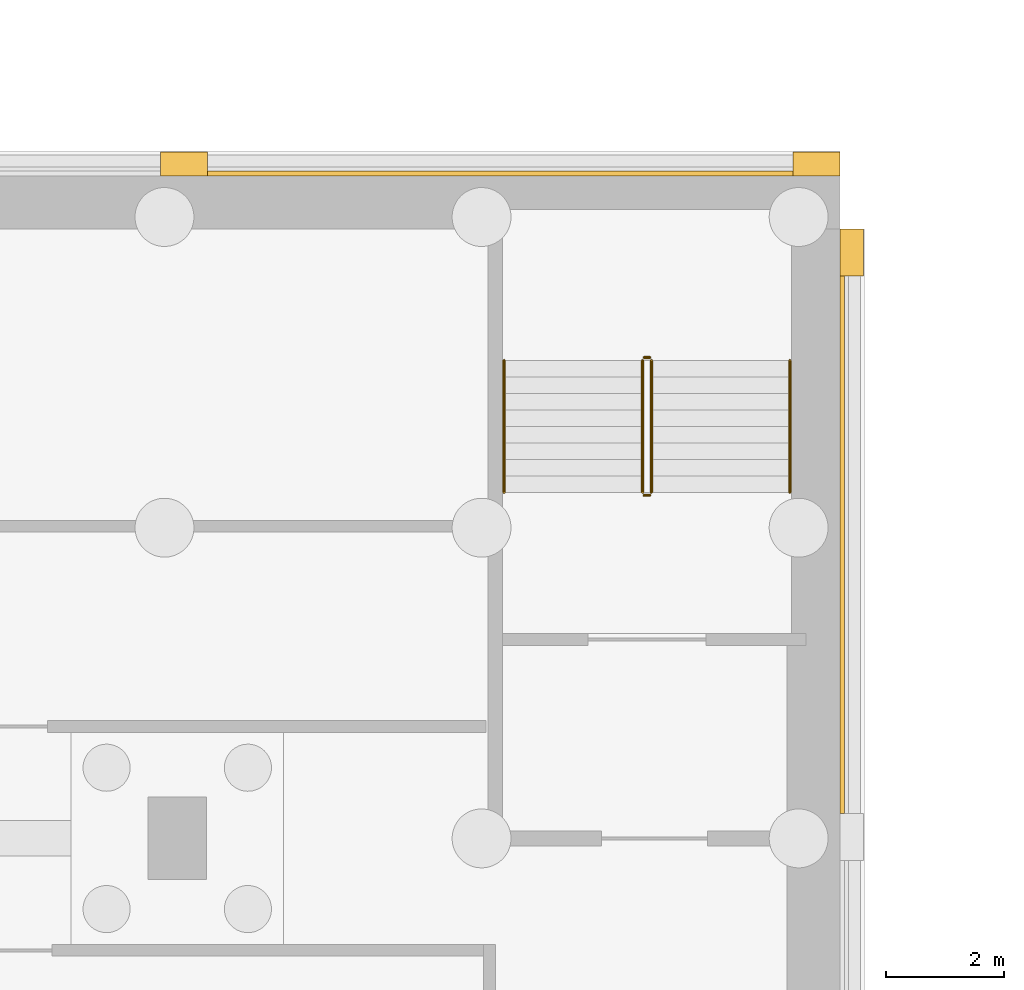
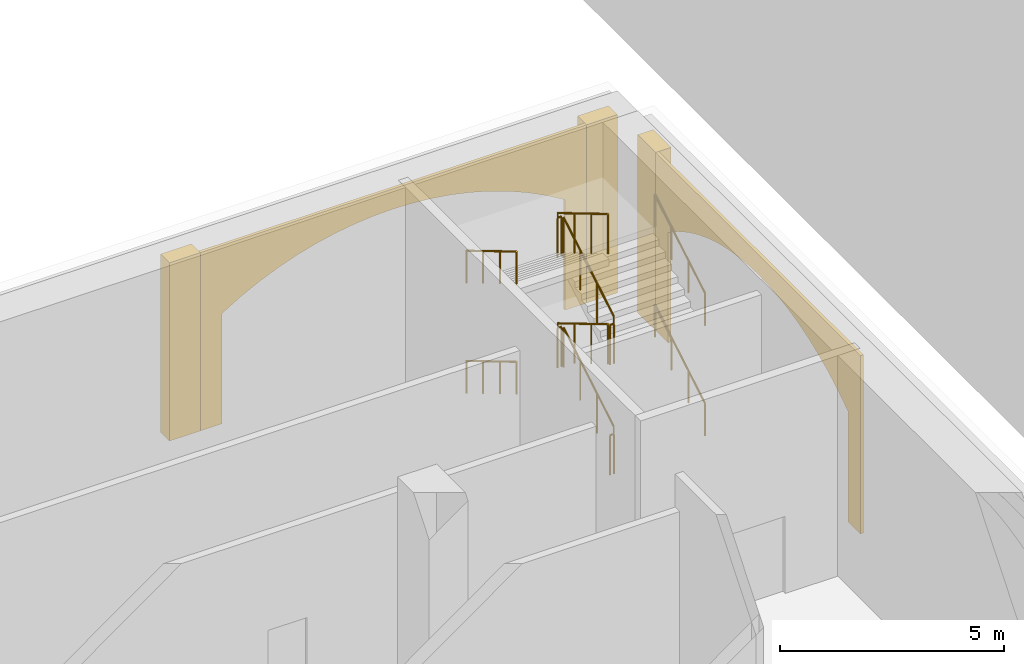
# One storey, part 37 of 39: 12 railings, 5 coverings.
"""IFC4 building model written with IfcOpenShell, lengths in metres."""

from ifc_helpers import new_model, si_unit, direction, frame, origin, origin_2d, place, context, subcontext, project, spatial, polyline, rectangle, circle, outline, extrude, material, layer, layer_set, type_object, element, save


model = new_model("IFC4")

# Units and contexts
model_context = context("Model", 3, precision=1e-05, world=origin(), true_north=direction((0.0, 1.0)))
body_context = subcontext(model_context, "Body", "Model", "MODEL_VIEW")
ifc_project = project(units=[si_unit("LENGTHUNIT", "METRE"), si_unit("AREAUNIT", "SQUARE_METRE"), si_unit("VOLUMEUNIT", "CUBIC_METRE"), si_unit("PLANEANGLEUNIT", "RADIAN"), si_unit("MASSUNIT", "GRAM", prefix="KILO")], contexts=[model_context])

# Site, building, storey
site_placement = place(None, origin())
site = spatial("IfcSite", under=ifc_project, at=site_placement, CompositionType="ELEMENT")
building_placement = place(site_placement, origin())
building = spatial("IfcBuilding", under=site, at=building_placement, Name="Magnolia Steps Interchange", CompositionType="ELEMENT")
storey_placement = place(building_placement, frame((0.0, 0.0, -11.39990234375)))
storey = spatial("IfcBuildingStorey", under=building, at=storey_placement, Name="B2", CompositionType="ELEMENT", Elevation=-11.39990234375)

# Coverings
ifc_material_1 = material(Name="Lime render")
ifc_layer_1 = layer(ifc_material_1, 0.080078125)
ifc_layer_set_1 = layer_set([ifc_layer_1], Name="Lime render arch infill")
covering_type_1 = type_object("IfcCoveringType", Name="Lime render arch infill", PredefinedType="CLADDING", material=ifc_layer_set_1)
covering_1_placement = place(storey_placement, frame((173.066650390625, 75.25, 0.5), z_axis=(0.0, -1.0, 0.0), x_axis=(0.0, 0.0, 1.0)))
element("IfcCovering", 1, at=covering_1_placement, inside=storey, type_object=covering_type_1, Name="Blind arch metro box wall 2.6", PredefinedType="CLADDING", context=body_context, shape_type="SweptSolid", body=[
    extrude(outline(polyline([(0.0, 0.0), (3.0, 0.0), (3.292480469, -0.490722656), (3.540771484, -0.981445312), (3.749511719, -1.472167969), (3.921875, -1.962890625), (4.060058594, -2.453857422), (4.166015625, -2.944335938), (4.240722656, -3.435302734), (4.28515625, -3.926025391), (4.299804688, -4.416748047), (4.28515625, -4.907470703), (4.240722656, -5.398193359), (4.166015625, -5.888916016), (4.060058594, -6.379638672), (3.921875, -6.870361328), (3.749511719, -7.361083984), (3.540771484, -7.851806641), (3.292480469, -8.342529297), (3.0, -8.833251953), (0.0, -8.833251953), (0.0, -9.383300781), (4.849853516, -9.383300781), (4.849853516, 0.550048828), (0.0, 0.550048828), (0.0, 0.0)])), origin(), (0.0, 0.0, -1.0), 0.080078125),
])
covering_2_placement = place(storey_placement, frame((183.25, 64.425048828125, 0.5), z_axis=(-1.0, 0.0, 0.0), x_axis=(0.0, 0.0, 1.0)))
element("IfcCovering", 2, at=covering_2_placement, inside=storey, type_object=covering_type_1, Name="Blind arch metro box wall 1.2", PredefinedType="CLADDING", context=body_context, shape_type="SweptSolid", body=[
    extrude(outline(polyline([(0.0, 0.0), (4.849853516, 0.0), (4.849853516, 9.125), (0.0, 9.125), (0.0, 8.574951172), (3.0, 8.574951172), (3.296875, 8.129150391), (3.546630859, 7.683349609), (3.755371094, 7.237548828), (3.926513672, 6.791748047), (4.063476562, 6.345703125), (4.16796875, 5.899902344), (4.241699219, 5.454101562), (4.285400391, 5.008300781), (4.299804688, 4.5625), (4.285400391, 4.116699219), (4.241699219, 3.670654297), (4.16796875, 3.224853516), (4.063476562, 2.779052734), (3.926513672, 2.333251953), (3.755371094, 1.887451172), (3.546630859, 1.441650391), (3.296875, 0.995849609), (3.0, 0.550048828), (0.0, 0.550048828), (0.0, 0.0)])), origin(), (0.0, 0.0, -1.0), 0.080078125),
])
ifc_material_2 = material(Name="Lime render")
ifc_layer_2 = layer(ifc_material_2, 0.39990234375)
ifc_layer_set_2 = layer_set([ifc_layer_2], Name="Lime render pilaster")
covering_type_2 = type_object("IfcCoveringType", Name="Lime render pilaster", PredefinedType="CLADDING", material=ifc_layer_set_2)
for number, where, z_axis, x_axis, name in (
    (3, (172.11669921875, 75.449951171875, 0.499755859375), (0.0, 0.0, 1.0), (1.0, 0.0, 0.0), "Pilaster metro box wall 2.6"),
    (4, (182.85009765625, 75.449951171875, 0.499755859375), (0.0, 0.0, 1.0), (1.0, 0.0, 0.0), "Pilaster metro box wall 2.7"),
):
    element("IfcCovering", number, at=place(storey_placement, frame(where, z_axis=z_axis, x_axis=x_axis)), inside=storey, type_object=covering_type_2, Name=name, PredefinedType="CLADDING", context=body_context, shape_type="SweptSolid", body=[
        extrude(rectangle(XDim=0.800048828125, YDim=0.39990234375, at=origin_2d()), origin(), (0.0, 0.0, 1.0), 4.85009765625),
    ])
covering_3_placement = place(storey_placement, frame((183.449951171875, 73.949951171875, 0.499755859375), z_axis=(0.0, 0.0, 1.0), x_axis=(1.0, 0.0, 0.0)))
element("IfcCovering", 5, at=covering_3_placement, inside=storey, type_object=covering_type_2, Name="Pilaster metro box wall 1.3", PredefinedType="CLADDING", context=body_context, shape_type="SweptSolid", body=[
    extrude(rectangle(XDim=0.39990234375, YDim=0.800048828125, at=origin_2d()), origin(), (0.0, 0.0, 1.0), 4.85009765625),
])

# Railings
ifc_material_3 = material(Name="Stainless steel grade 304", Category="steel")
railing_type_1 = type_object("IfcRailingType", Name="Stair guard 1100", PredefinedType="GUARDRAIL", material=ifc_material_3)
railing_1_placement = place(storey_placement, frame((180.049072265625, 69.875, 0.16650390625)))
element("IfcRailing", 6, at=railing_1_placement, inside=storey, type_object=railing_type_1, Name="B2 ST16 stair guard 1", PredefinedType="GUARDRAIL", context=body_context, shape_type="SweptSolid", body=[
    extrude(circle(Radius=0.02392578125, at=origin_2d()), frame((0.0, 0.0, 1.076171875), z_axis=(0.0, 0.859264461869, 0.511531606619), x_axis=(-1.0, 0.0, 0.0)), (0.0, 0.0, 1.0), 2.60693359375),
    extrude(circle(Radius=0.02099609375, at=origin_2d()), origin(), (0.0, 0.0, 1.0), 1.052001953125),
    extrude(circle(Radius=0.02099609375, at=origin_2d()), frame((0.0, 0.74658203125, 0.444580078125)), (0.0, 0.0, 1.0), 1.052001953125),
    extrude(circle(Radius=0.02099609375, at=origin_2d()), frame((0.0, 1.493408203125, 0.888916015625)), (0.0, 0.0, 1.0), 1.052001953125),
    extrude(circle(Radius=0.02099609375, at=origin_2d()), frame((0.0, 2.239990234375, 1.33349609375)), (0.0, 0.0, 1.0), 1.052001953125),
])
railing_2_placement = place(storey_placement, frame((180.02490234375, 72.1650390625, 1.5)))
element("IfcRailing", 7, at=railing_2_placement, inside=storey, type_object=railing_type_1, Name="B2 ST16 stair guard 2", PredefinedType="GUARDRAIL", context=body_context, shape_type="SweptSolid", body=[
    extrude(circle(Radius=0.02392578125, at=origin_2d()), frame((0.0, 0.0, 1.076171875), z_axis=(-1.0, 0.0, 0.0), x_axis=(0.0, -1.0, 0.0)), (0.0, 0.0, 1.0), 0.099853515625),
    extrude(circle(Radius=0.02099609375, at=origin_2d()), origin(), (0.0, 0.0, 1.0), 1.052001953125),
    extrude(circle(Radius=0.02099609375, at=origin_2d()), frame((-0.099853515625, 0.0, 0.0)), (0.0, 0.0, 1.0), 1.052001953125),
])
railing_3_placement = place(storey_placement, frame((179.90087890625, 72.114990234375, 1.66650390625)))
element("IfcRailing", 8, at=railing_3_placement, inside=storey, type_object=railing_type_1, Name="B2 ST16 stair guard 3", PredefinedType="GUARDRAIL", context=body_context, shape_type="SweptSolid", body=[
    extrude(circle(Radius=0.02392578125, at=origin_2d()), frame((0.0, 0.0, 1.076171875), z_axis=(0.0, -0.859264461869, 0.511531606619), x_axis=(1.0, 0.0, 0.0)), (0.0, 0.0, 1.0), 2.60693359375),
    extrude(circle(Radius=0.02099609375, at=origin_2d()), origin(), (0.0, 0.0, 1.0), 1.052001953125),
    extrude(circle(Radius=0.02099609375, at=origin_2d()), frame((0.0, -0.74658203125, 0.444580078125)), (0.0, 0.0, 1.0), 1.052001953125),
    extrude(circle(Radius=0.02099609375, at=origin_2d()), frame((0.0, -1.493408203125, 0.888916015625)), (0.0, 0.0, 1.0), 1.052001953125),
    extrude(circle(Radius=0.02099609375, at=origin_2d()), frame((0.0, -2.239990234375, 1.33349609375)), (0.0, 0.0, 1.0), 1.052001953125),
])
railing_4_placement = place(storey_placement, frame((180.02490234375, 69.824951171875, 3.0)))
element("IfcRailing", 9, at=railing_4_placement, inside=storey, type_object=railing_type_1, Name="B2 ST16 stair guard 4", PredefinedType="GUARDRAIL", context=body_context, shape_type="SweptSolid", body=[
    extrude(circle(Radius=0.02392578125, at=origin_2d()), frame((0.0, 0.0, 1.076171875), z_axis=(-1.0, 0.0, 0.0), x_axis=(0.0, -1.0, 0.0)), (0.0, 0.0, 1.0), 0.099853515625),
    extrude(circle(Radius=0.02099609375, at=origin_2d()), origin(), (0.0, 0.0, 1.0), 1.052001953125),
    extrude(circle(Radius=0.02099609375, at=origin_2d()), frame((-0.099853515625, 0.0, 0.0)), (0.0, 0.0, 1.0), 1.052001953125),
])
railing_5_placement = place(storey_placement, frame((180.049072265625, 69.875, 3.16650390625)))
element("IfcRailing", 10, at=railing_5_placement, inside=storey, type_object=railing_type_1, Name="B2 ST16 stair guard 5", PredefinedType="GUARDRAIL", context=body_context, shape_type="SweptSolid", body=[
    extrude(circle(Radius=0.02392578125, at=origin_2d()), frame((0.0, 0.0, 1.076171875), z_axis=(0.0, 0.859264461869, 0.511531606619), x_axis=(-1.0, 0.0, 0.0)), (0.0, 0.0, 1.0), 2.60693359375),
    extrude(circle(Radius=0.02099609375, at=origin_2d()), origin(), (0.0, 0.0, 1.0), 1.052001953125),
    extrude(circle(Radius=0.02099609375, at=origin_2d()), frame((0.0, 0.74658203125, 0.444580078125)), (0.0, 0.0, 1.0), 1.052001953125),
    extrude(circle(Radius=0.02099609375, at=origin_2d()), frame((0.0, 1.493408203125, 0.888916015625)), (0.0, 0.0, 1.0), 1.052001953125),
    extrude(circle(Radius=0.02099609375, at=origin_2d()), frame((0.0, 2.239990234375, 1.33349609375)), (0.0, 0.0, 1.0), 1.052001953125),
])
railing_6_placement = place(storey_placement, frame((180.02490234375, 72.1650390625, 4.5)))
element("IfcRailing", 11, at=railing_6_placement, inside=storey, type_object=railing_type_1, Name="B2 ST16 stair guard 6", PredefinedType="GUARDRAIL", context=body_context, shape_type="SweptSolid", body=[
    extrude(circle(Radius=0.02392578125, at=origin_2d()), frame((0.0, 0.0, 1.076171875), z_axis=(-1.0, 0.0, 0.0), x_axis=(0.0, -1.0, 0.0)), (0.0, 0.0, 1.0), 0.099853515625),
    extrude(circle(Radius=0.02099609375, at=origin_2d()), origin(), (0.0, 0.0, 1.0), 1.052001953125),
    extrude(circle(Radius=0.02099609375, at=origin_2d()), frame((-0.099853515625, 0.0, 0.0)), (0.0, 0.0, 1.0), 1.052001953125),
])
railing_7_placement = place(storey_placement, frame((179.90087890625, 72.114990234375, 4.66650390625)))
element("IfcRailing", 12, at=railing_7_placement, inside=storey, type_object=railing_type_1, Name="B2 ST16 stair guard 7", PredefinedType="GUARDRAIL", context=body_context, shape_type="SweptSolid", body=[
    extrude(circle(Radius=0.02392578125, at=origin_2d()), frame((0.0, 0.0, 1.076171875), z_axis=(0.0, -0.859264461869, 0.511531606619), x_axis=(1.0, 0.0, 0.0)), (0.0, 0.0, 1.0), 2.60693359375),
    extrude(circle(Radius=0.02099609375, at=origin_2d()), origin(), (0.0, 0.0, 1.0), 1.052001953125),
    extrude(circle(Radius=0.02099609375, at=origin_2d()), frame((0.0, -0.74658203125, 0.444580078125)), (0.0, 0.0, 1.0), 1.052001953125),
    extrude(circle(Radius=0.02099609375, at=origin_2d()), frame((0.0, -1.493408203125, 0.888916015625)), (0.0, 0.0, 1.0), 1.052001953125),
    extrude(circle(Radius=0.02099609375, at=origin_2d()), frame((0.0, -2.239990234375, 1.33349609375)), (0.0, 0.0, 1.0), 1.052001953125),
])
railing_8_placement = place(storey_placement, frame((180.02490234375, 69.824951171875, 0.0)))
element("IfcRailing", 13, at=railing_8_placement, inside=storey, type_object=railing_type_1, Name="B2 ST16 stair guard 8", PredefinedType="GUARDRAIL", context=body_context, shape_type="SweptSolid", body=[
    extrude(circle(Radius=0.02392578125, at=origin_2d()), frame((0.0, 0.0, 1.076171875), z_axis=(-1.0, 0.0, 0.0), x_axis=(0.0, -1.0, 0.0)), (0.0, 0.0, 1.0), 0.099853515625),
    extrude(circle(Radius=0.02099609375, at=origin_2d()), origin(), (0.0, 0.0, 1.0), 1.052001953125),
    extrude(circle(Radius=0.02099609375, at=origin_2d()), frame((-0.099853515625, 0.0, 0.0)), (0.0, 0.0, 1.0), 1.052001953125),
])
ifc_material_4 = material(Name="Stainless steel grade 304", Category="steel")
railing_type_2 = type_object("IfcRailingType", Name="Stair handrail 900", PredefinedType="HANDRAIL", material=ifc_material_4)
railing_9_placement = place(storey_placement, frame((182.40087890625, 69.875, 0.16650390625)))
element("IfcRailing", 14, at=railing_9_placement, inside=storey, type_object=railing_type_2, Name="B2 ST16 stair handrail 1", PredefinedType="HANDRAIL", context=body_context, shape_type="SweptSolid", body=[
    extrude(circle(Radius=0.02392578125, at=origin_2d()), frame((0.0, 0.0, 0.8759765625), z_axis=(0.0, 0.859264461869, 0.511531606619), x_axis=(-1.0, 0.0, 0.0)), (0.0, 0.0, 1.0), 2.60693359375),
    extrude(circle(Radius=0.02099609375, at=origin_2d()), origin(), (0.0, 0.0, 1.0), 0.851806640625),
    extrude(circle(Radius=0.02099609375, at=origin_2d()), frame((0.0, 0.74658203125, 0.444580078125)), (0.0, 0.0, 1.0), 0.851806640625),
    extrude(circle(Radius=0.02099609375, at=origin_2d()), frame((0.0, 1.493408203125, 0.888916015625)), (0.0, 0.0, 1.0), 0.851806640625),
    extrude(circle(Radius=0.02099609375, at=origin_2d()), frame((0.0, 2.239990234375, 1.33349609375)), (0.0, 0.0, 1.0), 0.851806640625),
])
railing_10_placement = place(storey_placement, frame((177.549072265625, 72.114990234375, 1.66650390625)))
element("IfcRailing", 15, at=railing_10_placement, inside=storey, type_object=railing_type_2, Name="B2 ST16 stair handrail 2", PredefinedType="HANDRAIL", context=body_context, shape_type="SweptSolid", body=[
    extrude(circle(Radius=0.02392578125, at=origin_2d()), frame((0.0, 0.0, 0.8759765625), z_axis=(0.0, -0.859264461869, 0.511531606619), x_axis=(1.0, 0.0, 0.0)), (0.0, 0.0, 1.0), 2.60693359375),
    extrude(circle(Radius=0.02099609375, at=origin_2d()), origin(), (0.0, 0.0, 1.0), 0.851806640625),
    extrude(circle(Radius=0.02099609375, at=origin_2d()), frame((0.0, -0.74658203125, 0.444580078125)), (0.0, 0.0, 1.0), 0.851806640625),
    extrude(circle(Radius=0.02099609375, at=origin_2d()), frame((0.0, -1.493408203125, 0.888916015625)), (0.0, 0.0, 1.0), 0.851806640625),
    extrude(circle(Radius=0.02099609375, at=origin_2d()), frame((0.0, -2.239990234375, 1.33349609375)), (0.0, 0.0, 1.0), 0.851806640625),
])
railing_11_placement = place(storey_placement, frame((182.40087890625, 69.875, 3.16650390625)))
element("IfcRailing", 16, at=railing_11_placement, inside=storey, type_object=railing_type_2, Name="B2 ST16 stair handrail 3", PredefinedType="HANDRAIL", context=body_context, shape_type="SweptSolid", body=[
    extrude(circle(Radius=0.02392578125, at=origin_2d()), frame((0.0, 0.0, 0.8759765625), z_axis=(0.0, 0.859264461869, 0.511531606619), x_axis=(-1.0, 0.0, 0.0)), (0.0, 0.0, 1.0), 2.60693359375),
    extrude(circle(Radius=0.02099609375, at=origin_2d()), origin(), (0.0, 0.0, 1.0), 0.851806640625),
    extrude(circle(Radius=0.02099609375, at=origin_2d()), frame((0.0, 0.74658203125, 0.444580078125)), (0.0, 0.0, 1.0), 0.851806640625),
    extrude(circle(Radius=0.02099609375, at=origin_2d()), frame((0.0, 1.493408203125, 0.888916015625)), (0.0, 0.0, 1.0), 0.851806640625),
    extrude(circle(Radius=0.02099609375, at=origin_2d()), frame((0.0, 2.239990234375, 1.33349609375)), (0.0, 0.0, 1.0), 0.851806640625),
])
railing_12_placement = place(storey_placement, frame((177.549072265625, 72.114990234375, 4.66650390625)))
element("IfcRailing", 17, at=railing_12_placement, inside=storey, type_object=railing_type_2, Name="B2 ST16 stair handrail 4", PredefinedType="HANDRAIL", context=body_context, shape_type="SweptSolid", body=[
    extrude(circle(Radius=0.02392578125, at=origin_2d()), frame((0.0, 0.0, 0.8759765625), z_axis=(0.0, -0.859264461869, 0.511531606619), x_axis=(1.0, 0.0, 0.0)), (0.0, 0.0, 1.0), 2.60693359375),
    extrude(circle(Radius=0.02099609375, at=origin_2d()), origin(), (0.0, 0.0, 1.0), 0.851806640625),
    extrude(circle(Radius=0.02099609375, at=origin_2d()), frame((0.0, -0.74658203125, 0.444580078125)), (0.0, 0.0, 1.0), 0.851806640625),
    extrude(circle(Radius=0.02099609375, at=origin_2d()), frame((0.0, -1.493408203125, 0.888916015625)), (0.0, 0.0, 1.0), 0.851806640625),
    extrude(circle(Radius=0.02099609375, at=origin_2d()), frame((0.0, -2.239990234375, 1.33349609375)), (0.0, 0.0, 1.0), 0.851806640625),
])

save(model, "model.ifc")
